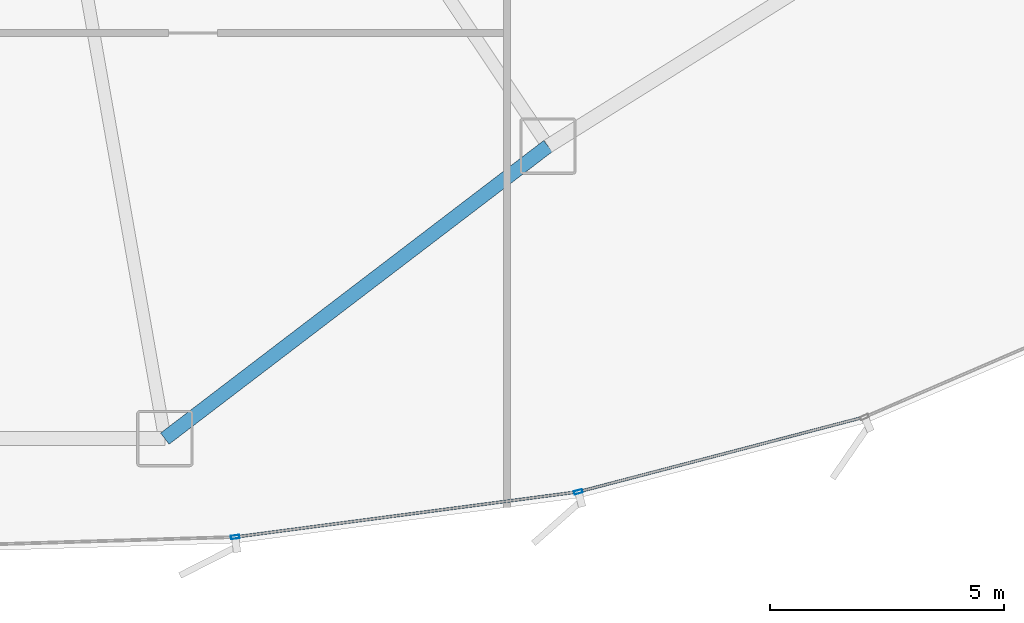
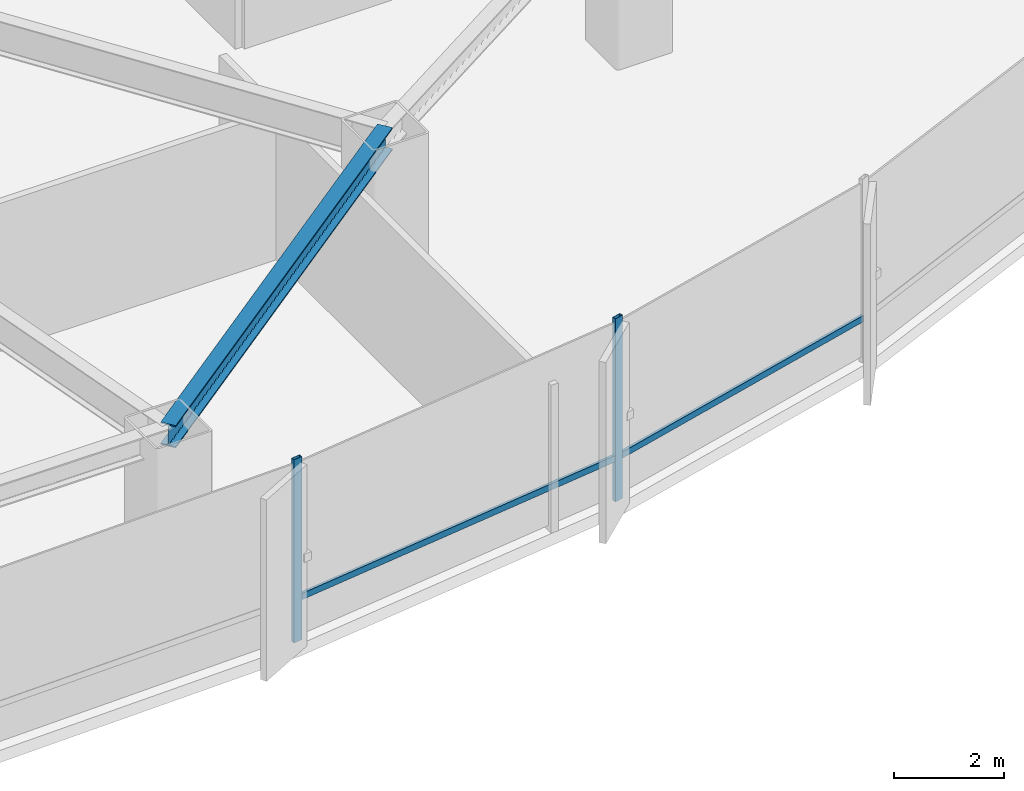
# One storey, part 8 of 34: 4 members, 1 beam, 1 element without a shape of its own.
"""IFC4 building model written with IfcOpenShell, lengths in metres."""

from ifc_helpers import new_model, si_unit, direction, frame, origin, origin_2d, place, context, subcontext, project, spatial, hollow_rectangle, i_section, extrude, source, transform, mapped, material, layer, layer_set, material_profile, profile_set, type_object, element, aggregate, save


model = new_model("IFC4")

# Units and contexts
model_context = context("Model", 3, precision=1e-05, world=origin(), true_north=direction((0.0, 1.0)))
body_context = subcontext(model_context, "Body", "Model", "MODEL_VIEW")
ifc_project = project(units=[si_unit("LENGTHUNIT", "METRE"), si_unit("AREAUNIT", "SQUARE_METRE"), si_unit("VOLUMEUNIT", "CUBIC_METRE"), si_unit("PLANEANGLEUNIT", "RADIAN"), si_unit("MASSUNIT", "GRAM", prefix="KILO"), si_unit("THERMODYNAMICTEMPERATUREUNIT", "KELVIN")], contexts=[model_context])

# Site, building, storey
site_placement = place(None, origin())
site = spatial("IfcSite", under=ifc_project, at=site_placement, CompositionType="ELEMENT")
building_placement = place(site_placement, origin())
building = spatial("IfcBuilding", under=site, at=building_placement, Name="Kethvar Cultural Tower", CompositionType="ELEMENT")
storey_placement = place(building_placement, frame((0.0, 0.0, 19.60009765625)))
storey = spatial("IfcBuildingStorey", under=building, at=storey_placement, Name="L04", CompositionType="ELEMENT", Elevation=19.60009765625)

# Beam
ifc_material_1 = material(Name="Steel S355J2", Category="steel")
ifc_material_profile_1 = material_profile(ifc_material_1, i_section(OverallWidth=0.300048828125, OverallDepth=0.5, WebThickness=0.014404296875, FlangeThickness=0.028076171875, FilletRadius=0.027099609375, at=origin_2d()), Name="Steel S355J2 — HEB500")
ifc_profile_set_1 = profile_set([ifc_material_profile_1], Name="Steel S355J2 — HEB500")
beam_type = type_object("IfcBeamType", Name="BM-SP500", PredefinedType="SPANDREL", material=ifc_profile_set_1)
shared_shape_1 = source(origin(), body_context, "Body", "SweptSolid", [
    extrude(i_section(OverallWidth=0.300048828125, OverallDepth=0.5, WebThickness=0.014404296875, FlangeThickness=0.028076171875, FilletRadius=0.027099609375, at=origin_2d()), origin(), (0.0, 0.0, 1.0), 10.279052734375),
])
beam_placement = place(storey_placement, frame((51.199951171875, 2.75, 3.827880859375), z_axis=(0.794869246576, 0.606780751876, 0.0), x_axis=(-0.606780751876, 0.794869246576, 0.0)))
element("IfcBeam", 1, at=beam_placement, inside=storey, type_object=beam_type, Name="L04 Podium Ring Beam 13", PredefinedType="SPANDREL", context=body_context, shape_type="MappedRepresentation", body=[
    mapped(shared_shape_1, transform((0.0, 0.0, 0.0), scale=1.0)),
])

# Curtain wall, members
ifc_material_2 = material(Name="Aluminium 6063-T6", Category="aluminium")
ifc_layer = layer(ifc_material_2, 0.179931640625, Name="Aluminium 6063-T6", Category="aluminium")
ifc_layer_set = layer_set([ifc_layer], Name="Aluminium 6063-T6 (180 mm)")
curtain_wall_type = type_object("IfcCurtainWallType", Name="CW-SYS-01-POD", PredefinedType="NOTDEFINED", material=ifc_layer_set)
curtain_wall_placement = place(storey_placement, origin())
curtain_wall = element("IfcCurtainWall", 2, at=curtain_wall_placement, inside=storey, type_object=curtain_wall_type, Name="L04 Curtain Wall Run 05", PredefinedType="NOTDEFINED")
ifc_material_profile_2 = material_profile(ifc_material_2, hollow_rectangle(XDim=0.06005859375, YDim=0.139892578125, WallThickness=0.0048828125, at=origin_2d()), Name="Aluminium 6063-T6 — RHS140x60x5")
ifc_profile_set_2 = profile_set([ifc_material_profile_2], Name="Aluminium 6063-T6 — RHS140x60x5")
member_type_1 = type_object("IfcMemberType", Name="CW-SYS-01-POD-TRN", PredefinedType="USERDEFINED", material=ifc_profile_set_2)
shared_shape_2 = source(origin(), body_context, "Body", "SweptSolid", [
    extrude(hollow_rectangle(XDim=0.06005859375, YDim=0.139892578125, WallThickness=0.0048828125, at=origin_2d()), origin(), (0.0, 0.0, 1.0), 7.28955078125),
])
member_1_placement = place(storey_placement, frame((52.75244140625, 0.658935546875, 0.949951171875), z_axis=(0.991428284846, 0.130652041726, 0.0), x_axis=(-0.130652041726, 0.991428284846, 0.0)))
member_1 = element("IfcMember", 3, at=member_1_placement, type_object=member_type_1, Name="CW-L04-R05 Transom 3", ObjectType="TRANSOM", PredefinedType="USERDEFINED", context=body_context, shape_type="MappedRepresentation", body=[
    mapped(shared_shape_2, transform((0.0, 0.0, 0.0), scale=1.0)),
])
shared_shape_3 = source(origin(), body_context, "Body", "SweptSolid", [
    extrude(hollow_rectangle(XDim=0.06005859375, YDim=0.139892578125, WallThickness=0.0048828125, at=origin_2d()), origin(), (0.0, 0.0, 1.0), 6.221435546875),
])
member_2_placement = place(storey_placement, frame((60.069091796875, 1.62890625, 0.949951171875), z_axis=(0.967458727109, 0.253028874519, 0.0), x_axis=(-0.253028874519, 0.967458727109, 0.0)))
member_2 = element("IfcMember", 4, at=member_2_placement, type_object=member_type_1, Name="CW-L04-R05 Transom 4", ObjectType="TRANSOM", PredefinedType="USERDEFINED", context=body_context, shape_type="MappedRepresentation", body=[
    mapped(shared_shape_3, transform((0.0, 0.0, 0.0), scale=1.0)),
])
ifc_material_profile_3 = material_profile(ifc_material_2, hollow_rectangle(XDim=0.074951171875, YDim=0.179931640625, WallThickness=0.006103515625, at=origin_2d()), Name="Aluminium 6063-T6 — RHS180x75x6")
ifc_profile_set_3 = profile_set([ifc_material_profile_3], Name="Aluminium 6063-T6 — RHS180x75x6")
member_type_2 = type_object("IfcMemberType", Name="CW-SYS-01-POD-MUL", PredefinedType="MULLION", material=ifc_profile_set_3)
shared_shape_4 = source(origin(), body_context, "Body", "SweptSolid", [
    extrude(hollow_rectangle(XDim=0.074951171875, YDim=0.179931640625, WallThickness=0.006103515625, at=origin_2d()), origin(), (0.0, 0.0, 1.0), 4.079833984375),
])
member_3_placement = place(storey_placement, frame((52.698974609375, 0.652099609375, 0.0), z_axis=(0.0, 0.0, 1.0), x_axis=(-0.130647319086, 0.991428907192, 0.0)))
member_3 = element("IfcMember", 5, at=member_3_placement, type_object=member_type_2, Name="CW-L04-R05 Mullion 3", PredefinedType="MULLION", context=body_context, shape_type="MappedRepresentation", body=[
    mapped(shared_shape_4, transform((0.0, 0.0, 0.0), scale=1.0)),
])
member_4_placement = place(storey_placement, frame((60.01708984375, 1.615234375, 0.0), z_axis=(0.0, 0.0, 1.0), x_axis=(-0.253031946887, 0.967457923558, 0.0)))
member_4 = element("IfcMember", 6, at=member_4_placement, type_object=member_type_2, Name="CW-L04-R05 Mullion 4", PredefinedType="MULLION", context=body_context, shape_type="MappedRepresentation", body=[
    mapped(shared_shape_4, transform((0.0, 0.0, 0.0), scale=1.0)),
])
aggregate(curtain_wall, [member_3, member_4, member_1, member_2])

save(model, "model.ifc")
